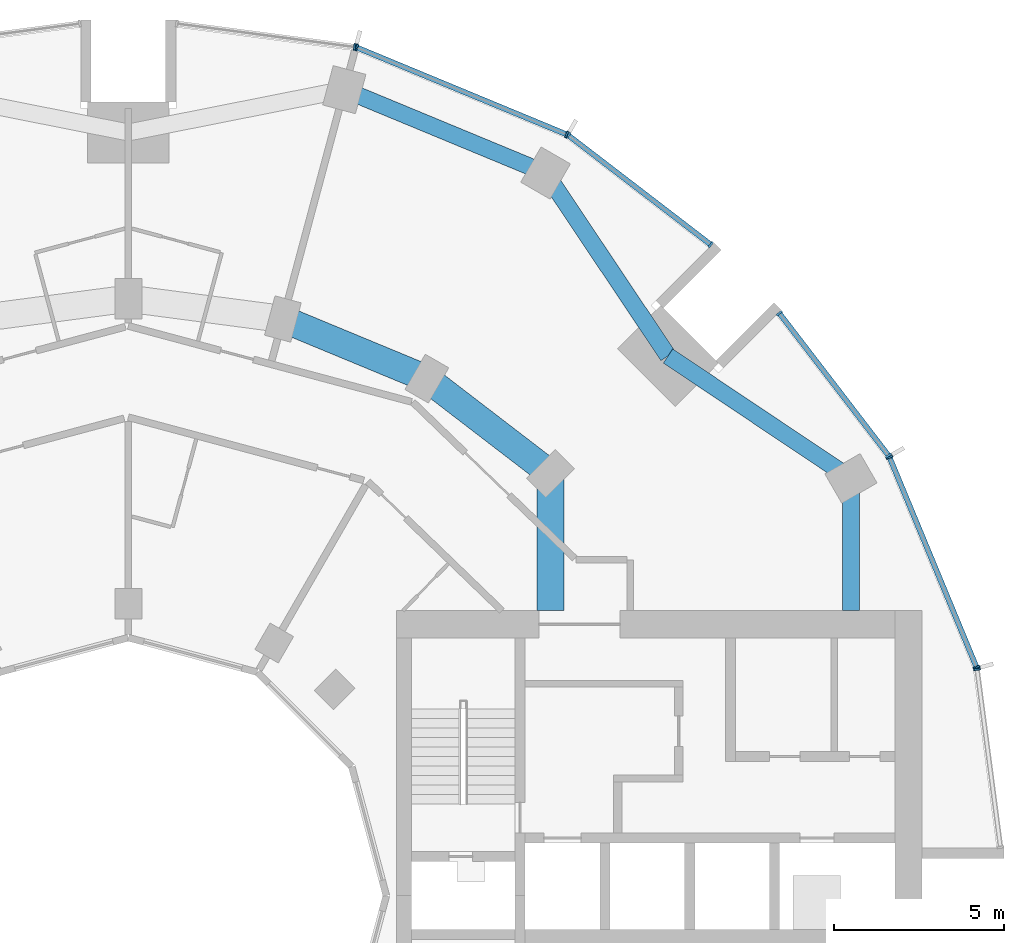
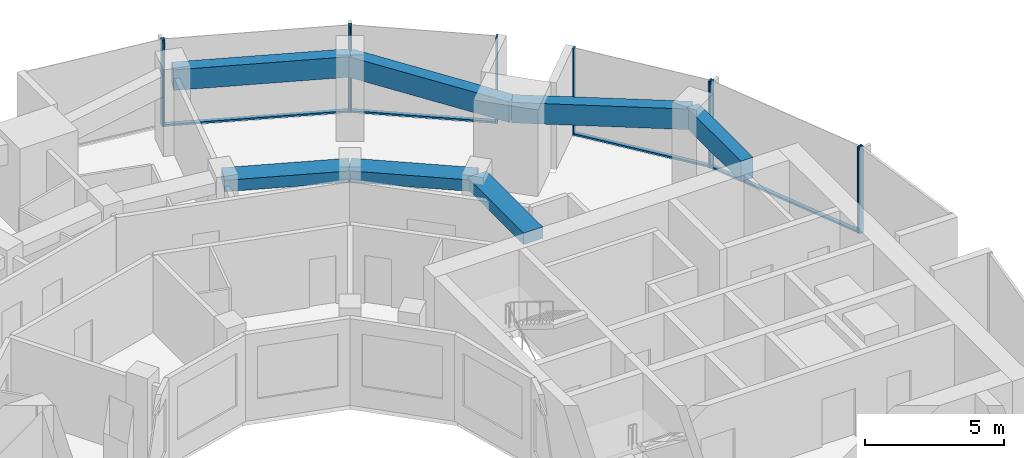
# One storey, part 6 of 15: 14 members, 7 beams, 6 elements without a shape of their own.
"""IFC4 building model written with IfcOpenShell, lengths in metres."""

from ifc_helpers import new_model, si_unit, direction, frame, origin, origin_2d, place, context, subcontext, project, spatial, rectangle, extrude, material, layer, layer_set, material_profile, profile_set, type_object, element, aggregate, save


model = new_model("IFC4")

# Units and contexts
model_context = context("Model", 3, precision=1e-05, world=origin(), true_north=direction((0.0, 1.0)))
body_context = subcontext(model_context, "Body", "Model", "MODEL_VIEW")
ifc_project = project(units=[si_unit("LENGTHUNIT", "METRE"), si_unit("AREAUNIT", "SQUARE_METRE"), si_unit("VOLUMEUNIT", "CUBIC_METRE"), si_unit("PLANEANGLEUNIT", "RADIAN"), si_unit("MASSUNIT", "GRAM", prefix="KILO")], contexts=[model_context])

# Site, building, storey
site_placement = place(None, origin())
site = spatial("IfcSite", under=ifc_project, at=site_placement, CompositionType="ELEMENT")
building_placement = place(site_placement, origin())
building = spatial("IfcBuilding", under=site, at=building_placement, Name="Torre Brocal", CompositionType="ELEMENT")
storey_placement = place(building_placement, frame((0.0, 0.0, 66.800048828125)))
storey = spatial("IfcBuildingStorey", under=building, at=storey_placement, Name="L15", CompositionType="ELEMENT", Elevation=66.800048828125)

# Curtain wall, members
ifc_material_1 = material(Name="Aluminium and glass", Category="aluminium")
ifc_layer_1 = layer(ifc_material_1, 0.199951171875)
ifc_layer_set_1 = layer_set([ifc_layer_1], Name="Aluminium and glass")
curtain_wall_type_1 = type_object("IfcCurtainWallType", Name="CW-1 CURTAIN WALL 3800 HIGH", PredefinedType="NOTDEFINED", material=ifc_layer_set_1)
curtain_wall_1_placement = place(storey_placement, origin())
curtain_wall_1 = element("IfcCurtainWall", 1, at=curtain_wall_1_placement, inside=storey, type_object=curtain_wall_type_1, Name="CW-1 RUN 2", PredefinedType="NOTDEFINED")
ifc_material_2 = material(Name="Aluminium, dark anodised", Category="aluminium")
ifc_material_profile_1 = material_profile(ifc_material_2, rectangle(XDim=0.199951171875, YDim=0.06005859375, at=origin_2d()), Name="CW-1 MULLION 60X200")
ifc_profile_set_1 = profile_set([ifc_material_profile_1], Name="Aluminium, dark anodised")
member_type_1 = type_object("IfcMemberType", Name="CW-1 MULLION 60X200", PredefinedType="MULLION", material=ifc_profile_set_1)
member_1_placement = place(storey_placement, frame((105.005126953125, 81.73095703125, 0.0), z_axis=(0.0, 0.0, 1.0), x_axis=(-0.923879532525, -0.382683432333, 0.0)))
member_1 = element("IfcMember", 2, at=member_1_placement, type_object=member_type_1, Name="CW1-1 mullion 1", PredefinedType="MULLION", context=body_context, shape_type="SweptSolid", body=[
    extrude(rectangle(XDim=0.199951171875, YDim=0.06005859375, at=origin_2d()), origin(), (0.0, 0.0, 1.0), 3.800048828125),
])
member_2_placement = place(storey_placement, frame((102.440673828125, 87.921875, 0.0), z_axis=(0.0, 0.0, 1.0), x_axis=(-0.923879532525, -0.382683432333, 0.0)))
member_2 = element("IfcMember", 3, at=member_2_placement, type_object=member_type_1, Name="CW1-1 mullion 2", PredefinedType="MULLION", context=body_context, shape_type="SweptSolid", body=[
    extrude(rectangle(XDim=0.199951171875, YDim=0.06005859375, at=origin_2d()), origin(), (0.0, 0.0, 1.0), 3.800048828125),
])

curtain_wall_2_placement = place(storey_placement, origin())
curtain_wall_2 = element("IfcCurtainWall", 4, at=curtain_wall_2_placement, inside=storey, type_object=curtain_wall_type_1, Name="CW-1 RUN 3", PredefinedType="NOTDEFINED")
member_3_placement = place(storey_placement, frame((102.4111328125, 87.973388671875, 0.0), z_axis=(0.0, 0.0, 1.0), x_axis=(-0.793353340259, -0.60876142905, 0.0)))
member_3 = element("IfcMember", 5, at=member_3_placement, type_object=member_type_1, Name="CW1-1 mullion 1", PredefinedType="MULLION", context=body_context, shape_type="SweptSolid", body=[
    extrude(rectangle(XDim=0.199951171875, YDim=0.06005859375, at=origin_2d()), origin(), (0.0, 0.0, 1.0), 3.800048828125),
])
member_4_placement = place(storey_placement, frame((99.19140625, 92.16943359375, 0.0), z_axis=(0.0, 0.0, 1.0), x_axis=(-0.793353340259, -0.60876142905, 0.0)))
member_4 = element("IfcMember", 6, at=member_4_placement, type_object=member_type_1, Name="CW1-1 mullion 2", PredefinedType="MULLION", context=body_context, shape_type="SweptSolid", body=[
    extrude(rectangle(XDim=0.199951171875, YDim=0.06005859375, at=origin_2d()), origin(), (0.0, 0.0, 1.0), 3.800048828125),
])

curtain_wall_3_placement = place(storey_placement, origin())
curtain_wall_3 = element("IfcCurtainWall", 7, at=curtain_wall_3_placement, inside=storey, type_object=curtain_wall_type_1, Name="CW-1 RUN 4", PredefinedType="NOTDEFINED")
member_5_placement = place(storey_placement, frame((97.16943359375, 94.19140625, 0.0), z_axis=(0.0, 0.0, 1.0), x_axis=(-0.60876142905, -0.793353340259, 0.0)))
member_5 = element("IfcMember", 8, at=member_5_placement, type_object=member_type_1, Name="CW1-1 mullion 1", PredefinedType="MULLION", context=body_context, shape_type="SweptSolid", body=[
    extrude(rectangle(XDim=0.199951171875, YDim=0.06005859375, at=origin_2d()), origin(), (0.0, 0.0, 1.0), 3.800048828125),
])
member_6_placement = place(storey_placement, frame((92.973388671875, 97.4111328125, 0.0), z_axis=(0.0, 0.0, 1.0), x_axis=(-0.60876142905, -0.793353340259, 0.0)))
member_6 = element("IfcMember", 9, at=member_6_placement, type_object=member_type_1, Name="CW1-1 mullion 2", PredefinedType="MULLION", context=body_context, shape_type="SweptSolid", body=[
    extrude(rectangle(XDim=0.199951171875, YDim=0.06005859375, at=origin_2d()), origin(), (0.0, 0.0, 1.0), 3.800048828125),
])

curtain_wall_4_placement = place(storey_placement, origin())
curtain_wall_4 = element("IfcCurtainWall", 10, at=curtain_wall_4_placement, inside=storey, type_object=curtain_wall_type_1, Name="CW-1 RUN 5", PredefinedType="NOTDEFINED")
member_7_placement = place(storey_placement, frame((92.921875, 97.440673828125, 0.0), z_axis=(0.0, 0.0, 1.0), x_axis=(-0.382683432333, -0.923879532525, 0.0)))
member_7 = element("IfcMember", 11, at=member_7_placement, type_object=member_type_1, Name="CW1-1 mullion 1", PredefinedType="MULLION", context=body_context, shape_type="SweptSolid", body=[
    extrude(rectangle(XDim=0.199951171875, YDim=0.06005859375, at=origin_2d()), origin(), (0.0, 0.0, 1.0), 3.800048828125),
])
member_8_placement = place(storey_placement, frame((86.73095703125, 100.005126953125, 0.0), z_axis=(0.0, 0.0, 1.0), x_axis=(-0.382683432333, -0.923879532525, 0.0)))
member_8 = element("IfcMember", 12, at=member_8_placement, type_object=member_type_1, Name="CW1-1 mullion 2", PredefinedType="MULLION", context=body_context, shape_type="SweptSolid", body=[
    extrude(rectangle(XDim=0.199951171875, YDim=0.06005859375, at=origin_2d()), origin(), (0.0, 0.0, 1.0), 3.800048828125),
])

# Curtain wall, member
curtain_wall_5_placement = place(storey_placement, origin())
curtain_wall_5 = element("IfcCurtainWall", 13, at=curtain_wall_5_placement, inside=storey, type_object=curtain_wall_type_1, Name="CW-1 RUN 6", PredefinedType="NOTDEFINED")
member_9_placement = place(storey_placement, frame((86.67333984375, 100.0205078125, 0.0), z_axis=(0.0, 0.0, 1.0), x_axis=(-0.13052619222, -0.991444861374, 0.0)))
member_9 = element("IfcMember", 14, at=member_9_placement, type_object=member_type_1, Name="CW1-1 mullion 1", PredefinedType="MULLION", context=body_context, shape_type="SweptSolid", body=[
    extrude(rectangle(XDim=0.199951171875, YDim=0.06005859375, at=origin_2d()), origin(), (0.0, 0.0, 1.0), 3.800048828125),
])
aggregate(curtain_wall_5, [member_9])

# Member
ifc_material_3 = material(Name="Aluminium, dark anodised", Category="aluminium")
ifc_material_profile_2 = material_profile(ifc_material_3, rectangle(XDim=0.159912109375, YDim=0.080078125, at=origin_2d()), Name="CW-1 TRANSOM 160X80")
ifc_profile_set_2 = profile_set([ifc_material_profile_2], Name="Aluminium, dark anodised")
member_type_2 = type_object("IfcMemberType", Name="CW-1 TRANSOM 160X80", PredefinedType="USERDEFINED", material=ifc_profile_set_2)
member_10_placement = place(storey_placement, frame((104.99365234375, 81.758544921875, 0.0400390625), z_axis=(-0.38266457234, 0.923887344364, 0.0), x_axis=(-0.923887344364, -0.38266457234, 0.0)))
member_10 = element("IfcMember", 15, at=member_10_placement, type_object=member_type_2, Name="CW1-1 transom 1.1", ObjectType="TRANSOM", PredefinedType="USERDEFINED", context=body_context, shape_type="SweptSolid", body=[
    extrude(rectangle(XDim=0.159912109375, YDim=0.080078125, at=origin_2d()), origin(), (0.0, 0.0, 1.0), 6.640869140625),
])

aggregate(curtain_wall_1, [member_1, member_2, member_10])

member_11_placement = place(storey_placement, frame((102.392822265625, 87.9970703125, 0.0400390625), z_axis=(-0.60874908096, 0.79336281513, 0.0), x_axis=(-0.79336281513, -0.60874908096, 0.0)))
member_11 = element("IfcMember", 16, at=member_11_placement, type_object=member_type_2, Name="CW1-1 transom 1.1", ObjectType="TRANSOM", PredefinedType="USERDEFINED", context=body_context, shape_type="SweptSolid", body=[
    extrude(rectangle(XDim=0.159912109375, YDim=0.080078125, at=origin_2d()), origin(), (0.0, 0.0, 1.0), 5.22900390625),
])

aggregate(curtain_wall_2, [member_3, member_4, member_11])

member_12_placement = place(storey_placement, frame((97.1455078125, 94.209716796875, 0.0400390625), z_axis=(-0.79336281513, 0.60874908096, 0.0), x_axis=(-0.60874908096, -0.79336281513, 0.0)))
member_12 = element("IfcMember", 17, at=member_12_placement, type_object=member_type_2, Name="CW1-1 transom 1.1", ObjectType="TRANSOM", PredefinedType="USERDEFINED", context=body_context, shape_type="SweptSolid", body=[
    extrude(rectangle(XDim=0.159912109375, YDim=0.080078125, at=origin_2d()), origin(), (0.0, 0.0, 1.0), 5.22900390625),
])

aggregate(curtain_wall_3, [member_5, member_6, member_12])

member_13_placement = place(storey_placement, frame((92.89404296875, 97.452392578125, 0.0400390625), z_axis=(-0.923887344364, 0.38266457234, 0.0), x_axis=(-0.38266457234, -0.923887344364, 0.0)))
member_13 = element("IfcMember", 18, at=member_13_placement, type_object=member_type_2, Name="CW1-1 transom 1.1", ObjectType="TRANSOM", PredefinedType="USERDEFINED", context=body_context, shape_type="SweptSolid", body=[
    extrude(rectangle(XDim=0.159912109375, YDim=0.080078125, at=origin_2d()), origin(), (0.0, 0.0, 1.0), 6.640869140625),
])

aggregate(curtain_wall_4, [member_7, member_8, member_13])

# Curtain wall, member
ifc_material_4 = material(Name="Aluminium and glass", Category="aluminium")
ifc_layer_2 = layer(ifc_material_4, 0.199951171875)
ifc_layer_set_2 = layer_set([ifc_layer_2], Name="Aluminium and glass")
curtain_wall_type_2 = type_object("IfcCurtainWallType", Name="CW-1B CURTAIN WALL 3800 HIGH", PredefinedType="NOTDEFINED", material=ifc_layer_set_2)
curtain_wall_6_placement = place(storey_placement, origin())
curtain_wall_6 = element("IfcCurtainWall", 19, at=curtain_wall_6_placement, inside=storey, type_object=curtain_wall_type_2, Name="CW-1B RUN 1", PredefinedType="NOTDEFINED")
ifc_material_5 = material(Name="Aluminium, dark anodised", Category="aluminium")
ifc_material_profile_3 = material_profile(ifc_material_5, rectangle(XDim=0.199951171875, YDim=0.06005859375, at=origin_2d()), Name="CW-1B MULLION 60X200")
ifc_profile_set_3 = profile_set([ifc_material_profile_3], Name="Aluminium, dark anodised")
member_type_3 = type_object("IfcMemberType", Name="CW-1B MULLION 60X200", PredefinedType="MULLION", material=ifc_profile_set_3)
member_14_placement = place(storey_placement, frame((105.0205078125, 81.67333984375, 0.0), z_axis=(0.0, 0.0, 1.0), x_axis=(-0.991444861374, -0.13052619222, 0.0)))
member_14 = element("IfcMember", 20, at=member_14_placement, type_object=member_type_3, Name="CW1B-1 mullion 2", PredefinedType="MULLION", context=body_context, shape_type="SweptSolid", body=[
    extrude(rectangle(XDim=0.199951171875, YDim=0.06005859375, at=origin_2d()), origin(), (0.0, 0.0, 1.0), 3.800048828125),
])
aggregate(curtain_wall_6, [member_14])

# Beams
ifc_material_6 = material(Name="Concrete C50", Category="concrete")
ifc_material_profile_4 = material_profile(ifc_material_6, rectangle(XDim=0.800048828125, YDim=0.5, at=origin_2d()), Name="RC 800X500")
ifc_profile_set_4 = profile_set([ifc_material_profile_4], Name="Concrete C50")
beam_type_1 = type_object("IfcBeamType", Name="RC BEAM 800X500 C50 TOP 3480", PredefinedType="BEAM", material=ifc_profile_set_4)
beam_1_placement = place(storey_placement, frame((92.445068359375, 87.445068359375, 3.22998046875), z_axis=(-0.793358265959, 0.6087550097, 0.0), x_axis=(-0.6087550097, -0.793358265959, 0.0)))
element("IfcBeam", 21, at=beam_1_placement, inside=storey, type_object=beam_type_1, Name="Beam BT-19", PredefinedType="BEAM", context=body_context, shape_type="SweptSolid", body=[
    extrude(rectangle(XDim=0.800048828125, YDim=0.5, at=origin_2d()), origin(), (0.0, 0.0, 1.0), 4.594482421875),
])
beam_2_placement = place(storey_placement, frame((88.800048828125, 90.241943359375, 3.22998046875), z_axis=(-0.923878240166, 0.382686552348, 0.0), x_axis=(-0.382686552348, -0.923878240166, 0.0)))
element("IfcBeam", 22, at=beam_2_placement, inside=storey, type_object=beam_type_1, Name="Beam BT-19", PredefinedType="BEAM", context=body_context, shape_type="SweptSolid", body=[
    extrude(rectangle(XDim=0.800048828125, YDim=0.5, at=origin_2d()), origin(), (0.0, 0.0, 1.0), 4.5947265625),
])
beam_3_placement = place(storey_placement, frame((92.445068359375, 87.445068359375, 3.22998046875), z_axis=(0.0, -1.0, 0.0), x_axis=(1.0, 0.0, 0.0)))
element("IfcBeam", 23, at=beam_3_placement, inside=storey, type_object=beam_type_1, Name="Beam BT-19", PredefinedType="BEAM", context=body_context, shape_type="SweptSolid", body=[
    extrude(rectangle(XDim=0.800048828125, YDim=0.5, at=origin_2d()), origin(), (0.0, 0.0, 1.0), 4.045166015625),
])
ifc_material_7 = material(Name="Concrete C50", Category="concrete")
ifc_material_profile_5 = material_profile(ifc_material_7, rectangle(XDim=0.5, YDim=0.89990234375, at=origin_2d()), Name="RC 500X900")
ifc_profile_set_5 = profile_set([ifc_material_profile_5], Name="Concrete C50")
beam_type_2 = type_object("IfcBeamType", Name="RC SPANDREL BEAM 500X900 C50 TOP 3480", PredefinedType="SPANDREL", material=ifc_profile_set_5)
for number, where, z_axis, x_axis, name in (
    (24, (101.30419921875, 87.300048828125, 3.030029296875), (-0.831076844476, 0.556157602282, 0.0), (-0.556157602282, -0.831076844476, 0.0), "Beam BT-20"),
    (25, (95.909912109375, 90.909912109375, 3.030029296875), (-0.556157602282, 0.831076844476, 0.0), (-0.831076844476, -0.556157602282, 0.0), "Beam BT-20"),
):
    element("IfcBeam", number, at=place(storey_placement, frame(where, z_axis=z_axis, x_axis=x_axis)), inside=storey, type_object=beam_type_2, Name=name, PredefinedType="SPANDREL", context=body_context, shape_type="SweptSolid", body=[
        extrude(rectangle(XDim=0.5, YDim=0.89990234375, at=origin_2d()), origin(), (0.0, 0.0, 1.0), 6.49072265625),
    ])
beam_4_placement = place(storey_placement, frame((92.300048828125, 96.30419921875, 3.030029296875), z_axis=(-0.923882462513, 0.382676358639, 0.0), x_axis=(-0.382676358639, -0.923882462513, 0.0)))
element("IfcBeam", 26, at=beam_4_placement, inside=storey, type_object=beam_type_2, Name="Beam BT-20", PredefinedType="SPANDREL", context=body_context, shape_type="SweptSolid", body=[
    extrude(rectangle(XDim=0.5, YDim=0.89990234375, at=origin_2d()), origin(), (0.0, 0.0, 1.0), 6.421875),
])
beam_5_placement = place(storey_placement, frame((101.30419921875, 87.300048828125, 3.030029296875), z_axis=(0.0, -1.0, 0.0), x_axis=(1.0, 0.0, 0.0)))
element("IfcBeam", 27, at=beam_5_placement, inside=storey, type_object=beam_type_2, Name="Beam BT-20", PredefinedType="SPANDREL", context=body_context, shape_type="SweptSolid", body=[
    extrude(rectangle(XDim=0.5, YDim=0.89990234375, at=origin_2d()), origin(), (0.0, 0.0, 1.0), 3.900146484375),
])

save(model, "model.ifc")
